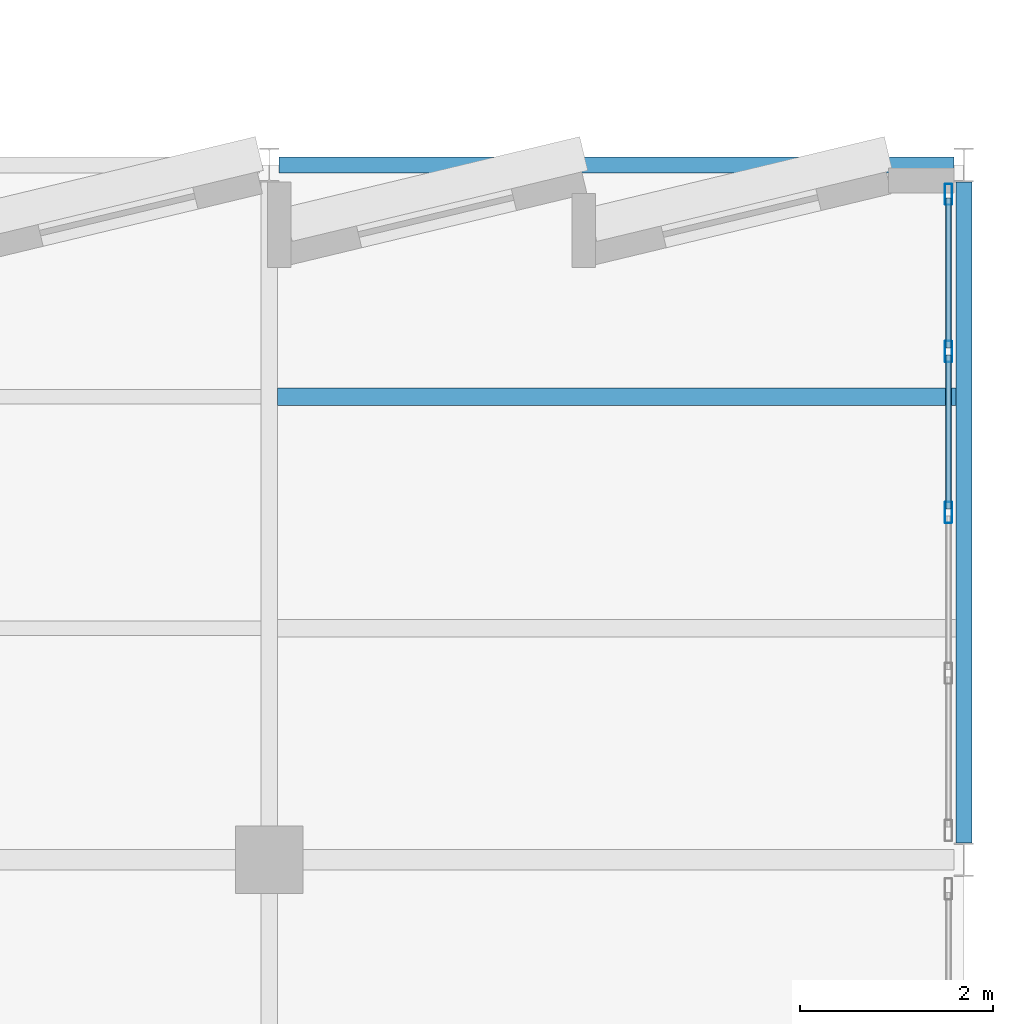
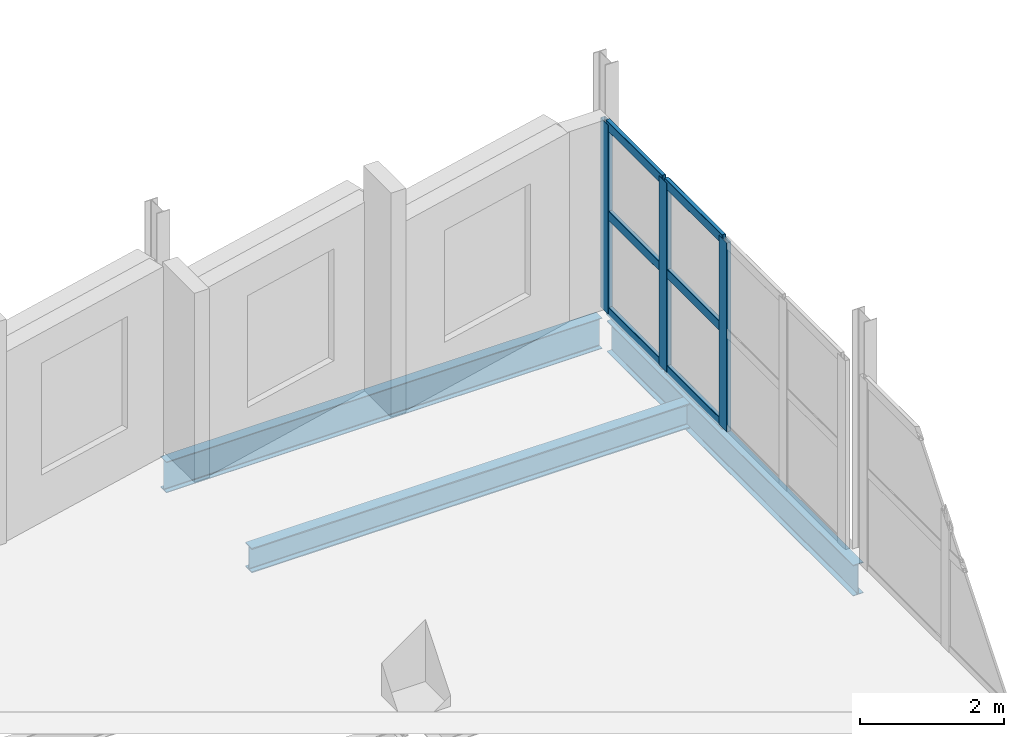
# One storey, part 14 of 33: 9 members, 3 beams, 1 element without a shape of its own.
"""IFC4 building model written with IfcOpenShell, lengths in metres."""

from ifc_helpers import new_model, si_unit, direction, frame, origin, origin_2d, place, context, subcontext, project, spatial, hollow_rectangle, i_section, extrude, material, material_profile, profile_set, type_object, element, aggregate, save


model = new_model("IFC4")

# Units and contexts
model_context = context("Model", 3, precision=1e-05, world=origin(), true_north=direction((0.0, 1.0)))
body_context = subcontext(model_context, "Body", "Model", "MODEL_VIEW")
ifc_project = project(units=[si_unit("LENGTHUNIT", "METRE"), si_unit("AREAUNIT", "SQUARE_METRE"), si_unit("VOLUMEUNIT", "CUBIC_METRE"), si_unit("PLANEANGLEUNIT", "RADIAN"), si_unit("MASSUNIT", "GRAM", prefix="KILO")], contexts=[model_context])

# Site, building, storey
site_placement = place(None, origin())
site = spatial("IfcSite", under=ifc_project, at=site_placement, CompositionType="ELEMENT")
building_placement = place(site_placement, origin())
building = spatial("IfcBuilding", under=site, at=building_placement, Name="Kalmorath City Hall", CompositionType="ELEMENT")
storey_placement = place(building_placement, frame((0.0, 0.0, 22.949951171875)))
storey = spatial("IfcBuildingStorey", under=building, at=storey_placement, Name="L05", CompositionType="ELEMENT", Elevation=22.949951171875)

# Curtain wall, members
ifc_material_1 = material(Name="Anodised aluminium and laminated glass", Category="aluminium")
curtain_wall_type = type_object("IfcCurtainWallType", Name="Unitised hurricane curtain wall 6670x3206 M1500", PredefinedType="NOTDEFINED", material=ifc_material_1)
curtain_wall_placement = place(storey_placement, origin())
curtain_wall = element("IfcCurtainWall", 1, at=curtain_wall_placement, inside=storey, type_object=curtain_wall_type, Name="L05 curtain wall CW-67X32M15 #168", PredefinedType="NOTDEFINED")
ifc_material_2 = material(Name="Anodised aluminium framing", Category="aluminium")
ifc_material_profile_1 = material_profile(ifc_material_2, hollow_rectangle(XDim=0.074951171875, YDim=0.219970703125, WallThickness=0.00390625, InnerFilletRadius=0.00390625, OuterFilletRadius=0.008056640625, at=origin_2d()), Name="ALU-MUL-220X75X4")
ifc_profile_set_1 = profile_set([ifc_material_profile_1], Name="Anodised aluminium framing")
member_type_1 = type_object("IfcMemberType", Name="Curtain-wall primary mullion 220x75", PredefinedType="MULLION", material=ifc_profile_set_1)
member_1_placement = place(storey_placement, frame((35.840087890625, 35.697509765625, 0.0), z_axis=(0.0, 0.0, 1.0), x_axis=(1.0, 0.0, 0.0)))
member_1 = element("IfcMember", 2, at=member_1_placement, type_object=member_type_1, Name="CW-67X32M15 mullion 1", PredefinedType="MULLION", context=body_context, shape_type="SweptSolid", body=[
    extrude(hollow_rectangle(XDim=0.074951171875, YDim=0.219970703125, WallThickness=0.00390625, InnerFilletRadius=0.00390625, OuterFilletRadius=0.008056640625, at=origin_2d()), origin(), (0.0, 0.0, 1.0), 3.2060546875),
])
member_2_placement = place(storey_placement, frame((35.840087890625, 34.0673828125, 0.0), z_axis=(0.0, 0.0, 1.0), x_axis=(1.0, 0.0, 0.0)))
member_2 = element("IfcMember", 3, at=member_2_placement, type_object=member_type_1, Name="CW-67X32M15 mullion 2", PredefinedType="MULLION", context=body_context, shape_type="SweptSolid", body=[
    extrude(hollow_rectangle(XDim=0.074951171875, YDim=0.219970703125, WallThickness=0.00390625, InnerFilletRadius=0.00390625, OuterFilletRadius=0.008056640625, at=origin_2d()), origin(), (0.0, 0.0, 1.0), 3.2060546875),
])
member_3_placement = place(storey_placement, frame((35.840087890625, 32.39990234375, 0.0), z_axis=(0.0, 0.0, 1.0), x_axis=(1.0, 0.0, 0.0)))
member_3 = element("IfcMember", 4, at=member_3_placement, type_object=member_type_1, Name="CW-67X32M15 mullion 3", PredefinedType="MULLION", context=body_context, shape_type="SweptSolid", body=[
    extrude(hollow_rectangle(XDim=0.074951171875, YDim=0.219970703125, WallThickness=0.00390625, InnerFilletRadius=0.00390625, OuterFilletRadius=0.008056640625, at=origin_2d()), origin(), (0.0, 0.0, 1.0), 3.2060546875),
])
ifc_material_3 = material(Name="Anodised aluminium framing", Category="aluminium")
ifc_material_profile_2 = material_profile(ifc_material_3, hollow_rectangle(XDim=0.06494140625, YDim=0.159912109375, WallThickness=0.00390625, InnerFilletRadius=0.00390625, OuterFilletRadius=0.008056640625, at=origin_2d()), Name="ALU-TRN-160X65X4")
ifc_profile_set_2 = profile_set([ifc_material_profile_2], Name="Anodised aluminium framing")
member_type_2 = type_object("IfcMemberType", Name="Curtain-wall primary transom 160x65", PredefinedType="USERDEFINED", material=ifc_profile_set_2)
member_4_placement = place(storey_placement, frame((35.840087890625, 35.659912109375, 0.032470703125), z_axis=(0.0, -1.0, 0.0), x_axis=(1.0, 0.0, 0.0)))
member_4 = element("IfcMember", 5, at=member_4_placement, type_object=member_type_2, Name="CW-67X32M15 transom 1.1", ObjectType="TRANSOM", PredefinedType="USERDEFINED", context=body_context, shape_type="SweptSolid", body=[
    extrude(hollow_rectangle(XDim=0.06494140625, YDim=0.159912109375, WallThickness=0.00390625, InnerFilletRadius=0.00390625, OuterFilletRadius=0.008056640625, at=origin_2d()), origin(), (0.0, 0.0, 1.0), 1.554931640625),
])
member_5_placement = place(storey_placement, frame((35.840087890625, 35.659912109375, 1.6669921875), z_axis=(0.0, -1.0, 0.0), x_axis=(1.0, 0.0, 0.0)))
member_5 = element("IfcMember", 6, at=member_5_placement, type_object=member_type_2, Name="CW-67X32M15 transom 1.2", ObjectType="TRANSOM", PredefinedType="USERDEFINED", context=body_context, shape_type="SweptSolid", body=[
    extrude(hollow_rectangle(XDim=0.06494140625, YDim=0.159912109375, WallThickness=0.00390625, InnerFilletRadius=0.00390625, OuterFilletRadius=0.008056640625, at=origin_2d()), origin(), (0.0, 0.0, 1.0), 1.554931640625),
])
member_6_placement = place(storey_placement, frame((35.840087890625, 35.659912109375, 3.173583984375), z_axis=(0.0, -1.0, 0.0), x_axis=(1.0, 0.0, 0.0)))
member_6 = element("IfcMember", 7, at=member_6_placement, type_object=member_type_2, Name="CW-67X32M15 transom 1.3", ObjectType="TRANSOM", PredefinedType="USERDEFINED", context=body_context, shape_type="SweptSolid", body=[
    extrude(hollow_rectangle(XDim=0.06494140625, YDim=0.159912109375, WallThickness=0.00390625, InnerFilletRadius=0.00390625, OuterFilletRadius=0.008056640625, at=origin_2d()), origin(), (0.0, 0.0, 1.0), 1.554931640625),
])
member_7_placement = place(storey_placement, frame((35.840087890625, 34.030029296875, 0.032470703125), z_axis=(0.0, -1.0, 0.0), x_axis=(1.0, 0.0, 0.0)))
member_7 = element("IfcMember", 8, at=member_7_placement, type_object=member_type_2, Name="CW-67X32M15 transom 2.1", ObjectType="TRANSOM", PredefinedType="USERDEFINED", context=body_context, shape_type="SweptSolid", body=[
    extrude(hollow_rectangle(XDim=0.06494140625, YDim=0.159912109375, WallThickness=0.00390625, InnerFilletRadius=0.00390625, OuterFilletRadius=0.008056640625, at=origin_2d()), origin(), (0.0, 0.0, 1.0), 1.592529296875),
])
member_8_placement = place(storey_placement, frame((35.840087890625, 34.030029296875, 1.6669921875), z_axis=(0.0, -1.0, 0.0), x_axis=(1.0, 0.0, 0.0)))
member_8 = element("IfcMember", 9, at=member_8_placement, type_object=member_type_2, Name="CW-67X32M15 transom 2.2", ObjectType="TRANSOM", PredefinedType="USERDEFINED", context=body_context, shape_type="SweptSolid", body=[
    extrude(hollow_rectangle(XDim=0.06494140625, YDim=0.159912109375, WallThickness=0.00390625, InnerFilletRadius=0.00390625, OuterFilletRadius=0.008056640625, at=origin_2d()), origin(), (0.0, 0.0, 1.0), 1.592529296875),
])
member_9_placement = place(storey_placement, frame((35.840087890625, 34.030029296875, 3.173583984375), z_axis=(0.0, -1.0, 0.0), x_axis=(1.0, 0.0, 0.0)))
member_9 = element("IfcMember", 10, at=member_9_placement, type_object=member_type_2, Name="CW-67X32M15 transom 2.3", ObjectType="TRANSOM", PredefinedType="USERDEFINED", context=body_context, shape_type="SweptSolid", body=[
    extrude(hollow_rectangle(XDim=0.06494140625, YDim=0.159912109375, WallThickness=0.00390625, InnerFilletRadius=0.00390625, OuterFilletRadius=0.008056640625, at=origin_2d()), origin(), (0.0, 0.0, 1.0), 1.592529296875),
])
aggregate(curtain_wall, [member_1, member_2, member_3, member_4, member_5, member_6, member_7, member_8, member_9])

# Beams
ifc_material_4 = material(Name="Steel ASTM A992 Grade 50", Category="steel")
ifc_material_profile_3 = material_profile(ifc_material_4, i_section(OverallWidth=0.180908203125, OverallDepth=0.4169921875, WebThickness=0.010986328125, FlangeThickness=0.018310546875, FilletRadius=0.012939453125, at=origin_2d()), Name="W16X57")
ifc_profile_set_3 = profile_set([ifc_material_profile_3], Name="Steel ASTM A992 Grade 50")
beam_type_1 = type_object("IfcBeamType", Name="Steel composite joist W16X57", PredefinedType="JOIST", material=ifc_profile_set_3)
beam_1_placement = place(storey_placement, frame((28.883544921875, 33.60009765625, -0.50244140625), z_axis=(1.0, 0.0, 0.0), x_axis=(0.0, 1.0, 0.0)))
element("IfcBeam", 11, at=beam_1_placement, inside=storey, type_object=beam_type_1, Name="L05 joist SJ5 5.5.2", PredefinedType="JOIST", context=body_context, shape_type="SweptSolid", body=[
    extrude(i_section(OverallWidth=0.180908203125, OverallDepth=0.4169921875, WebThickness=0.010986328125, FlangeThickness=0.018310546875, FilletRadius=0.012939453125, at=origin_2d()), origin(), (0.0, 0.0, 1.0), 7.033935546875),
])
ifc_material_5 = material(Name="Steel ASTM A992 Grade 50", Category="steel")
ifc_material_profile_4 = material_profile(ifc_material_5, i_section(OverallWidth=0.1650390625, OverallDepth=0.52490234375, WebThickness=0.0087890625, FlangeThickness=0.011474609375, FilletRadius=0.014892578125, at=origin_2d()), Name="W21X44")
ifc_profile_set_4 = profile_set([ifc_material_profile_4], Name="Steel ASTM A992 Grade 50")
beam_type_2 = type_object("IfcBeamType", Name="Steel spandrel beam W21X44", PredefinedType="SPANDREL", material=ifc_profile_set_4)
beam_2_placement = place(storey_placement, frame((28.902099609375, 36.0, -0.556396484375), z_axis=(1.0, 0.0, 0.0), x_axis=(0.0, 1.0, 0.0)))
element("IfcBeam", 12, at=beam_2_placement, inside=storey, type_object=beam_type_2, Name="L05 girder SB4 X5-6/6", PredefinedType="SPANDREL", context=body_context, shape_type="SweptSolid", body=[
    extrude(i_section(OverallWidth=0.1650390625, OverallDepth=0.52490234375, WebThickness=0.0087890625, FlangeThickness=0.011474609375, FilletRadius=0.014892578125, at=origin_2d()), origin(), (0.0, 0.0, 1.0), 6.995849609375),
])
beam_3_placement = place(storey_placement, frame((36.0, 28.97509765625, -0.556396484375), z_axis=(0.0, 1.0, 0.0), x_axis=(-1.0, 0.0, 0.0)))
element("IfcBeam", 13, at=beam_3_placement, inside=storey, type_object=beam_type_2, Name="L05 girder SB4 Y6/5-6", PredefinedType="SPANDREL", context=body_context, shape_type="SweptSolid", body=[
    extrude(i_section(OverallWidth=0.1650390625, OverallDepth=0.52490234375, WebThickness=0.0087890625, FlangeThickness=0.011474609375, FilletRadius=0.014892578125, at=origin_2d()), origin(), (0.0, 0.0, 1.0), 6.849853515625),
])

save(model, "model.ifc")
